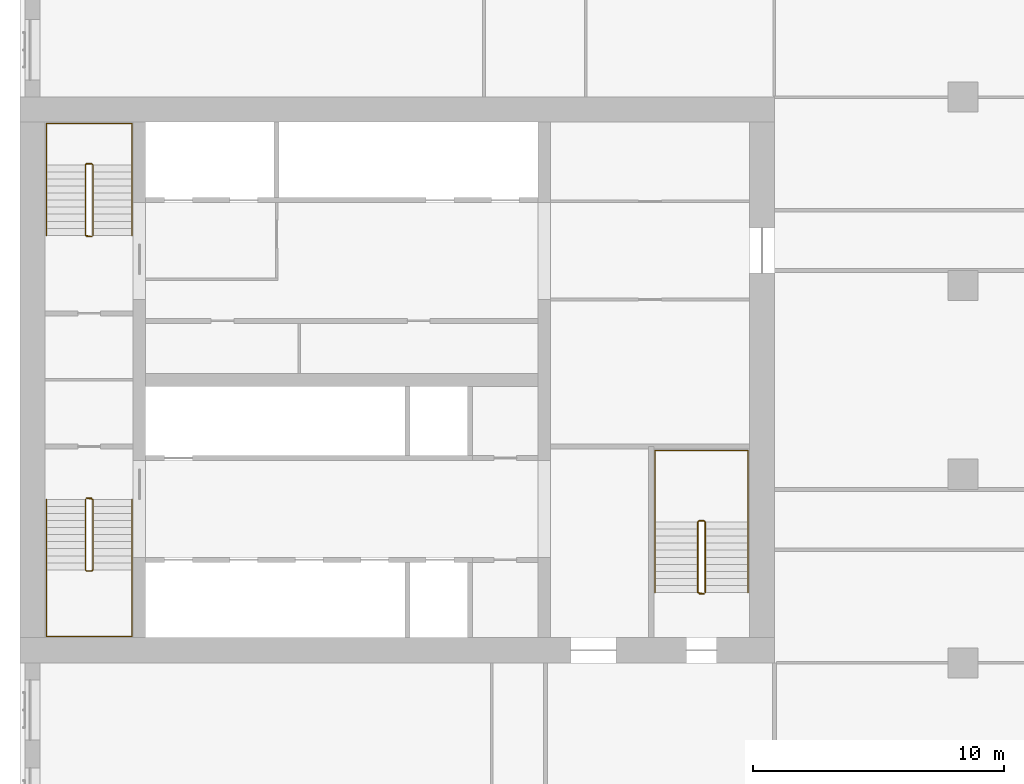
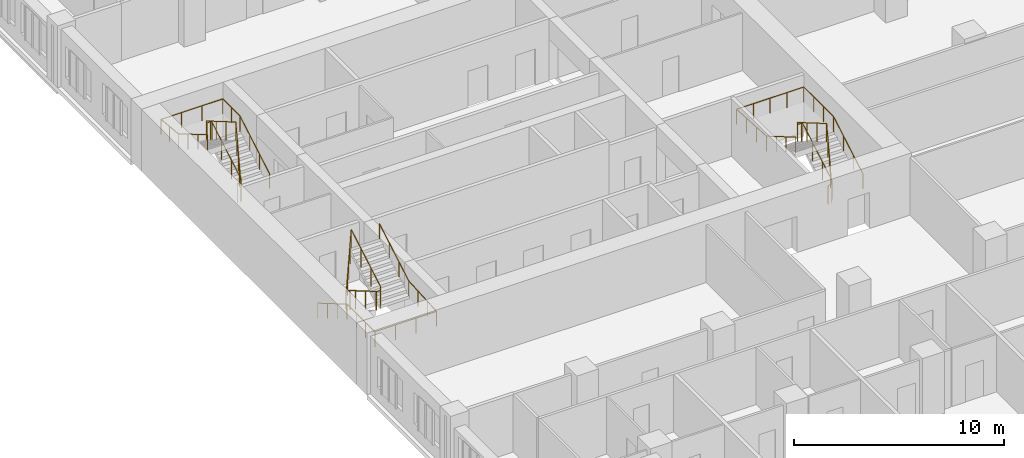
# One storey, part 14 of 14: 6 railings.
"""IFC4 building model written with IfcOpenShell, lengths in metres."""

from ifc_helpers import new_model, si_unit, direction, frame, origin, origin_2d, place, context, subcontext, project, spatial, circle, extrude, material, type_object, element, save


model = new_model("IFC4")

# Units and contexts
model_context = context("Model", 3, precision=1e-05, world=origin(), true_north=direction((0.0, 1.0)))
body_context = subcontext(model_context, "Body", "Model", "MODEL_VIEW")
ifc_project = project(units=[si_unit("LENGTHUNIT", "METRE"), si_unit("AREAUNIT", "SQUARE_METRE"), si_unit("VOLUMEUNIT", "CUBIC_METRE"), si_unit("PLANEANGLEUNIT", "RADIAN"), si_unit("MASSUNIT", "GRAM", prefix="KILO")], contexts=[model_context])

# Site, building, storey
site_placement = place(None, origin())
site = spatial("IfcSite", under=ifc_project, at=site_placement, CompositionType="ELEMENT")
building_placement = place(site_placement, origin())
building = spatial("IfcBuilding", under=site, at=building_placement, Name="Tamorin Gate", CompositionType="ELEMENT")
storey_placement = place(building_placement, frame((0.0, 0.0, 66.39990234375)))
storey = spatial("IfcBuildingStorey", under=building, at=storey_placement, Name="L15", CompositionType="ELEMENT", Elevation=66.39990234375)

# Railings
ifc_material_1 = material(Name="Painted steel balustrade", Category="steel")
railing_type_1 = type_object("IfcRailingType", Name="Stair guard 1100", PredefinedType="GUARDRAIL", material=ifc_material_1)
railing_1_placement = place(storey_placement, frame((32.60009765625, 66.5, 0.163818359375)))
element("IfcRailing", 1, at=railing_1_placement, inside=storey, type_object=railing_type_1, Name="L15 ST1 stair guard 1", PredefinedType="GUARDRAIL", context=body_context, shape_type="SweptSolid", body=[
    extrude(circle(Radius=0.02392578125, at=origin_2d()), frame((0.0, 0.0, 1.076171875), z_axis=(0.0, -0.863393664356, 0.504530851732), x_axis=(1.0, 0.0, 0.0)), (0.0, 0.0, 1.0), 3.2431640625),
    extrude(circle(Radius=0.02392578125, at=origin_2d()), frame((0.0, -2.800048828125, 2.71240234375), z_axis=(0.705375805398, -0.708833529934, 0.0), x_axis=(0.708833529934, 0.705375805398, 0.0)), (0.0, 0.0, 1.0), 0.070556640625),
    extrude(circle(Radius=0.02392578125, at=origin_2d()), frame((0.0498046875, -2.85009765625, 2.71240234375), z_axis=(1.0, 0.0, 0.0), x_axis=(0.0, 1.0, 0.0)), (0.0, 0.0, 1.0), 0.2001953125),
    extrude(circle(Radius=0.02392578125, at=origin_2d()), frame((0.25, -2.85009765625, 2.71240234375), z_axis=(0.279546231943, 0.280916556609, 0.91811752648), x_axis=(-0.708833529934, 0.705375805398, 0.0)), (0.0, 0.0, 1.0), 0.17822265625),
    extrude(circle(Radius=0.02392578125, at=origin_2d()), frame((0.2998046875, -2.800048828125, 2.8759765625), z_axis=(0.0, 0.863360870873, 0.504586966384), x_axis=(-1.0, 0.0, 0.0)), (0.0, 0.0, 1.0), 3.2431640625),
    extrude(circle(Radius=0.02392578125, at=origin_2d()), frame((0.2998046875, 0.0, 4.51220703125), z_axis=(-0.069269067181, 0.013867342551, -0.997501625634), x_axis=(-0.196300278283, -0.98054382908, 0.0)), (0.0, 0.0, 1.0), 3.609130859375),
    extrude(circle(Radius=0.02392578125, at=origin_2d()), frame((0.0498046875, 0.050048828125, 0.912109375), z_axis=(1.0, 0.0, 0.0), x_axis=(0.0, 1.0, 0.0)), (0.0, 0.0, 1.0), 0.2001953125),
    extrude(circle(Radius=0.02099609375, at=origin_2d()), origin(), (0.0, 0.0, 1.0), 1.052001953125),
    extrude(circle(Radius=0.02099609375, at=origin_2d()), frame((0.0, -0.933349609375, 0.54541015625)), (0.0, 0.0, 1.0), 1.052001953125),
    extrude(circle(Radius=0.02099609375, at=origin_2d()), frame((0.0, -1.86669921875, 1.0908203125)), (0.0, 0.0, 1.0), 1.052001953125),
    extrude(circle(Radius=0.02099609375, at=origin_2d()), frame((0.0, -2.800048828125, 1.63623046875)), (0.0, 0.0, 1.0), 1.052001953125),
    extrude(circle(Radius=0.02099609375, at=origin_2d()), frame((0.0498046875, -2.85009765625, 1.63623046875)), (0.0, 0.0, 1.0), 1.052001953125),
    extrude(circle(Radius=0.02099609375, at=origin_2d()), frame((0.25, -2.85009765625, 1.63623046875)), (0.0, 0.0, 1.0), 1.052001953125),
    extrude(circle(Radius=0.02099609375, at=origin_2d()), frame((0.2998046875, -2.800048828125, 1.7998046875)), (0.0, 0.0, 1.0), 1.052001953125),
    extrude(circle(Radius=0.02099609375, at=origin_2d()), frame((0.2998046875, -1.86669921875, 2.34521484375)), (0.0, 0.0, 1.0), 1.052001953125),
    extrude(circle(Radius=0.02099609375, at=origin_2d()), frame((0.2998046875, -0.933349609375, 2.890869140625)), (0.0, 0.0, 1.0), 1.052001953125),
    extrude(circle(Radius=0.02099609375, at=origin_2d()), frame((0.2998046875, 0.0, 3.436279296875)), (0.0, 0.0, 1.0), 1.052001953125),
    extrude(circle(Radius=0.02099609375, at=origin_2d()), frame((0.2373046875, 0.012451171875, 2.5361328125)), (0.0, 0.0, 1.0), 1.052001953125),
    extrude(circle(Radius=0.02099609375, at=origin_2d()), frame((0.1748046875, 0.02490234375, 1.63623046875)), (0.0, 0.0, 1.0), 1.052001953125),
    extrude(circle(Radius=0.02099609375, at=origin_2d()), frame((0.1123046875, 0.03759765625, 0.736328125)), (0.0, 0.0, 1.0), 1.052001953125),
    extrude(circle(Radius=0.02099609375, at=origin_2d()), frame((0.0498046875, 0.050048828125, -0.163818359375)), (0.0, 0.0, 1.0), 1.052001953125),
    extrude(circle(Radius=0.02099609375, at=origin_2d()), frame((0.25, 0.050048828125, -0.163818359375)), (0.0, 0.0, 1.0), 1.052001953125),
])
railing_2_placement = place(storey_placement, frame((32.89990234375, 77.0, 0.163818359375)))
element("IfcRailing", 2, at=railing_2_placement, inside=storey, type_object=railing_type_1, Name="L15 ST2 stair guard 1", PredefinedType="GUARDRAIL", context=body_context, shape_type="SweptSolid", body=[
    extrude(circle(Radius=0.02392578125, at=origin_2d()), frame((0.0, 0.0, 1.076171875), z_axis=(0.0, 0.863393664356, 0.504530851732), x_axis=(-1.0, 0.0, 0.0)), (0.0, 0.0, 1.0), 3.2431640625),
    extrude(circle(Radius=0.02392578125, at=origin_2d()), frame((0.0, 2.800048828125, 2.71240234375), z_axis=(-0.705375805398, 0.708833529934, 0.0), x_axis=(-0.708833529934, -0.705375805398, 0.0)), (0.0, 0.0, 1.0), 0.070556640625),
    extrude(circle(Radius=0.02392578125, at=origin_2d()), frame((-0.0498046875, 2.85009765625, 2.71240234375), z_axis=(-1.0, 0.0, 0.0), x_axis=(0.0, -1.0, 0.0)), (0.0, 0.0, 1.0), 0.2001953125),
    extrude(circle(Radius=0.02392578125, at=origin_2d()), frame((-0.25, 2.85009765625, 2.71240234375), z_axis=(-0.279546231943, -0.280916556609, 0.91811752648), x_axis=(0.708833529934, -0.705375805398, 0.0)), (0.0, 0.0, 1.0), 0.17822265625),
    extrude(circle(Radius=0.02392578125, at=origin_2d()), frame((-0.2998046875, 2.800048828125, 2.8759765625), z_axis=(0.0, -0.863360870873, 0.504586966384), x_axis=(1.0, 0.0, 0.0)), (0.0, 0.0, 1.0), 3.2431640625),
    extrude(circle(Radius=0.02392578125, at=origin_2d()), frame((-0.2998046875, 0.0, 4.51220703125), z_axis=(0.069269067181, -0.013867342551, -0.997501625634), x_axis=(0.196300278283, 0.98054382908, 0.0)), (0.0, 0.0, 1.0), 3.609130859375),
    extrude(circle(Radius=0.02392578125, at=origin_2d()), frame((-0.0498046875, -0.050048828125, 0.912109375), z_axis=(-1.0, 0.0, 0.0), x_axis=(0.0, -1.0, 0.0)), (0.0, 0.0, 1.0), 0.2001953125),
    extrude(circle(Radius=0.02099609375, at=origin_2d()), origin(), (0.0, 0.0, 1.0), 1.052001953125),
    extrude(circle(Radius=0.02099609375, at=origin_2d()), frame((0.0, 0.933349609375, 0.54541015625)), (0.0, 0.0, 1.0), 1.052001953125),
    extrude(circle(Radius=0.02099609375, at=origin_2d()), frame((0.0, 1.86669921875, 1.0908203125)), (0.0, 0.0, 1.0), 1.052001953125),
    extrude(circle(Radius=0.02099609375, at=origin_2d()), frame((0.0, 2.800048828125, 1.63623046875)), (0.0, 0.0, 1.0), 1.052001953125),
    extrude(circle(Radius=0.02099609375, at=origin_2d()), frame((-0.0498046875, 2.85009765625, 1.63623046875)), (0.0, 0.0, 1.0), 1.052001953125),
    extrude(circle(Radius=0.02099609375, at=origin_2d()), frame((-0.25, 2.85009765625, 1.63623046875)), (0.0, 0.0, 1.0), 1.052001953125),
    extrude(circle(Radius=0.02099609375, at=origin_2d()), frame((-0.2998046875, 2.800048828125, 1.7998046875)), (0.0, 0.0, 1.0), 1.052001953125),
    extrude(circle(Radius=0.02099609375, at=origin_2d()), frame((-0.2998046875, 1.86669921875, 2.34521484375)), (0.0, 0.0, 1.0), 1.052001953125),
    extrude(circle(Radius=0.02099609375, at=origin_2d()), frame((-0.2998046875, 0.933349609375, 2.890869140625)), (0.0, 0.0, 1.0), 1.052001953125),
    extrude(circle(Radius=0.02099609375, at=origin_2d()), frame((-0.2998046875, 0.0, 3.436279296875)), (0.0, 0.0, 1.0), 1.052001953125),
    extrude(circle(Radius=0.02099609375, at=origin_2d()), frame((-0.2373046875, -0.012451171875, 2.5361328125)), (0.0, 0.0, 1.0), 1.052001953125),
    extrude(circle(Radius=0.02099609375, at=origin_2d()), frame((-0.1748046875, -0.02490234375, 1.63623046875)), (0.0, 0.0, 1.0), 1.052001953125),
    extrude(circle(Radius=0.02099609375, at=origin_2d()), frame((-0.1123046875, -0.03759765625, 0.736328125)), (0.0, 0.0, 1.0), 1.052001953125),
    extrude(circle(Radius=0.02099609375, at=origin_2d()), frame((-0.0498046875, -0.050048828125, -0.163818359375)), (0.0, 0.0, 1.0), 1.052001953125),
    extrude(circle(Radius=0.02099609375, at=origin_2d()), frame((-0.25, -0.050048828125, -0.163818359375)), (0.0, 0.0, 1.0), 1.052001953125),
])
railing_3_placement = place(storey_placement, frame((57.25, 62.800048828125, 0.163818359375)))
element("IfcRailing", 3, at=railing_3_placement, inside=storey, type_object=railing_type_1, Name="L15 ST3 stair guard 1", PredefinedType="GUARDRAIL", context=body_context, shape_type="SweptSolid", body=[
    extrude(circle(Radius=0.02392578125, at=origin_2d()), frame((0.0, 0.0, 1.076171875), z_axis=(0.0, 0.863393664356, 0.504530851732), x_axis=(-1.0, 0.0, 0.0)), (0.0, 0.0, 1.0), 3.2431640625),
    extrude(circle(Radius=0.02392578125, at=origin_2d()), frame((0.0, 2.800048828125, 2.71240234375), z_axis=(-0.708833529934, 0.705375805398, 0.0), x_axis=(-0.705375805398, -0.708833529934, 0.0)), (0.0, 0.0, 1.0), 0.070556640625),
    extrude(circle(Radius=0.02392578125, at=origin_2d()), frame((-0.050048828125, 2.849853515625, 2.71240234375), z_axis=(-1.0, 0.0, 0.0), x_axis=(0.0, -1.0, 0.0)), (0.0, 0.0, 1.0), 0.199951171875),
    extrude(circle(Radius=0.02392578125, at=origin_2d()), frame((-0.25, 2.849853515625, 2.71240234375), z_axis=(-0.280916556609, -0.279546231943, 0.91811752648), x_axis=(0.705375805398, -0.708833529934, 0.0)), (0.0, 0.0, 1.0), 0.17822265625),
    extrude(circle(Radius=0.02392578125, at=origin_2d()), frame((-0.300048828125, 2.800048828125, 2.8759765625), z_axis=(0.0, -0.863360870873, 0.504586966384), x_axis=(1.0, 0.0, 0.0)), (0.0, 0.0, 1.0), 3.2431640625),
    extrude(circle(Radius=0.02392578125, at=origin_2d()), frame((-0.300048828125, 0.0, 4.51220703125), z_axis=(0.069269067181, -0.013867342551, -0.997501625634), x_axis=(0.196300278283, 0.98054382908, 0.0)), (0.0, 0.0, 1.0), 3.609130859375),
    extrude(circle(Radius=0.02392578125, at=origin_2d()), frame((-0.050048828125, -0.050048828125, 0.912109375), z_axis=(-1.0, 0.0, 0.0), x_axis=(0.0, -1.0, 0.0)), (0.0, 0.0, 1.0), 0.199951171875),
    extrude(circle(Radius=0.02099609375, at=origin_2d()), origin(), (0.0, 0.0, 1.0), 1.052001953125),
    extrude(circle(Radius=0.02099609375, at=origin_2d()), frame((0.0, 0.933349609375, 0.54541015625)), (0.0, 0.0, 1.0), 1.052001953125),
    extrude(circle(Radius=0.02099609375, at=origin_2d()), frame((0.0, 1.86669921875, 1.0908203125)), (0.0, 0.0, 1.0), 1.052001953125),
    extrude(circle(Radius=0.02099609375, at=origin_2d()), frame((0.0, 2.800048828125, 1.63623046875)), (0.0, 0.0, 1.0), 1.052001953125),
    extrude(circle(Radius=0.02099609375, at=origin_2d()), frame((-0.050048828125, 2.849853515625, 1.63623046875)), (0.0, 0.0, 1.0), 1.052001953125),
    extrude(circle(Radius=0.02099609375, at=origin_2d()), frame((-0.25, 2.849853515625, 1.63623046875)), (0.0, 0.0, 1.0), 1.052001953125),
    extrude(circle(Radius=0.02099609375, at=origin_2d()), frame((-0.300048828125, 2.800048828125, 1.7998046875)), (0.0, 0.0, 1.0), 1.052001953125),
    extrude(circle(Radius=0.02099609375, at=origin_2d()), frame((-0.300048828125, 1.86669921875, 2.34521484375)), (0.0, 0.0, 1.0), 1.052001953125),
    extrude(circle(Radius=0.02099609375, at=origin_2d()), frame((-0.300048828125, 0.933349609375, 2.890869140625)), (0.0, 0.0, 1.0), 1.052001953125),
    extrude(circle(Radius=0.02099609375, at=origin_2d()), frame((-0.300048828125, 0.0, 3.436279296875)), (0.0, 0.0, 1.0), 1.052001953125),
    extrude(circle(Radius=0.02099609375, at=origin_2d()), frame((-0.237548828125, -0.012451171875, 2.5361328125)), (0.0, 0.0, 1.0), 1.052001953125),
    extrude(circle(Radius=0.02099609375, at=origin_2d()), frame((-0.175048828125, -0.02490234375, 1.63623046875)), (0.0, 0.0, 1.0), 1.052001953125),
    extrude(circle(Radius=0.02099609375, at=origin_2d()), frame((-0.112548828125, -0.03759765625, 0.736328125)), (0.0, 0.0, 1.0), 1.052001953125),
    extrude(circle(Radius=0.02099609375, at=origin_2d()), frame((-0.050048828125, -0.050048828125, -0.163818359375)), (0.0, 0.0, 1.0), 1.052001953125),
    extrude(circle(Radius=0.02099609375, at=origin_2d()), frame((-0.25, -0.050048828125, -0.163818359375)), (0.0, 0.0, 1.0), 1.052001953125),
])
ifc_material_2 = material(Name="Painted steel handrail", Category="steel")
railing_type_2 = type_object("IfcRailingType", Name="Stair handrail 900", PredefinedType="HANDRAIL", material=ifc_material_2)
railing_4_placement = place(storey_placement, frame((31.050048828125, 66.5, 0.163818359375)))
element("IfcRailing", 4, at=railing_4_placement, inside=storey, type_object=railing_type_2, Name="L15 ST1 stair handrail 1", PredefinedType="HANDRAIL", context=body_context, shape_type="SweptSolid", body=[
    extrude(circle(Radius=0.02392578125, at=origin_2d()), frame((0.0, 0.0, 0.8759765625), z_axis=(0.0, -0.863393664356, 0.504530851732), x_axis=(1.0, 0.0, 0.0)), (0.0, 0.0, 1.0), 3.2431640625),
    extrude(circle(Radius=0.02392578125, at=origin_2d()), frame((0.0, -2.800048828125, 2.51220703125), z_axis=(0.0, -1.0, 0.0), x_axis=(1.0, 0.0, 0.0)), (0.0, 0.0, 1.0), 2.64990234375),
    extrude(circle(Radius=0.02392578125, at=origin_2d()), frame((0.0, -5.449951171875, 2.51220703125), z_axis=(1.0, 0.0, 0.0), x_axis=(0.0, 1.0, 0.0)), (0.0, 0.0, 1.0), 3.39990234375),
    extrude(circle(Radius=0.02392578125, at=origin_2d()), frame((3.39990234375, -5.449951171875, 2.51220703125), z_axis=(0.0, 0.998100230056, 0.061611125312), x_axis=(-1.0, 0.0, 0.0)), (0.0, 0.0, 1.0), 2.655029296875),
    extrude(circle(Radius=0.02392578125, at=origin_2d()), frame((3.39990234375, -2.800048828125, 2.67578125), z_axis=(0.0, 0.863360870873, 0.504586966384), x_axis=(-1.0, 0.0, 0.0)), (0.0, 0.0, 1.0), 3.2431640625),
    extrude(circle(Radius=0.02099609375, at=origin_2d()), origin(), (0.0, 0.0, 1.0), 0.851806640625),
    extrude(circle(Radius=0.02099609375, at=origin_2d()), frame((0.0, -0.933349609375, 0.54541015625)), (0.0, 0.0, 1.0), 0.851806640625),
    extrude(circle(Radius=0.02099609375, at=origin_2d()), frame((0.0, -1.86669921875, 1.0908203125)), (0.0, 0.0, 1.0), 0.851806640625),
    extrude(circle(Radius=0.02099609375, at=origin_2d()), frame((0.0, -2.800048828125, 1.63623046875)), (0.0, 0.0, 1.0), 0.851806640625),
    extrude(circle(Radius=0.02099609375, at=origin_2d()), frame((0.0, -3.683349609375, 1.63623046875)), (0.0, 0.0, 1.0), 0.851806640625),
    extrude(circle(Radius=0.02099609375, at=origin_2d()), frame((0.0, -4.566650390625, 1.63623046875)), (0.0, 0.0, 1.0), 0.851806640625),
    extrude(circle(Radius=0.02099609375, at=origin_2d()), frame((0.0, -5.449951171875, 1.63623046875)), (0.0, 0.0, 1.0), 0.851806640625),
    extrude(circle(Radius=0.02099609375, at=origin_2d()), frame((1.13330078125, -5.449951171875, 1.63623046875)), (0.0, 0.0, 1.0), 0.851806640625),
    extrude(circle(Radius=0.02099609375, at=origin_2d()), frame((2.2666015625, -5.449951171875, 1.63623046875)), (0.0, 0.0, 1.0), 0.851806640625),
    extrude(circle(Radius=0.02099609375, at=origin_2d()), frame((3.39990234375, -5.449951171875, 1.63623046875)), (0.0, 0.0, 1.0), 0.851806640625),
    extrude(circle(Radius=0.02099609375, at=origin_2d()), frame((3.39990234375, -4.566650390625, 1.690673828125)), (0.0, 0.0, 1.0), 0.851806640625),
    extrude(circle(Radius=0.02099609375, at=origin_2d()), frame((3.39990234375, -3.683349609375, 1.745361328125)), (0.0, 0.0, 1.0), 0.851806640625),
    extrude(circle(Radius=0.02099609375, at=origin_2d()), frame((3.39990234375, -2.800048828125, 1.7998046875)), (0.0, 0.0, 1.0), 0.851806640625),
    extrude(circle(Radius=0.02099609375, at=origin_2d()), frame((3.39990234375, -1.86669921875, 2.34521484375)), (0.0, 0.0, 1.0), 0.851806640625),
    extrude(circle(Radius=0.02099609375, at=origin_2d()), frame((3.39990234375, -0.933349609375, 2.890869140625)), (0.0, 0.0, 1.0), 0.851806640625),
    extrude(circle(Radius=0.02099609375, at=origin_2d()), frame((3.39990234375, 0.0, 3.436279296875)), (0.0, 0.0, 1.0), 0.851806640625),
])
railing_5_placement = place(storey_placement, frame((34.449951171875, 77.0, 0.163818359375)))
element("IfcRailing", 5, at=railing_5_placement, inside=storey, type_object=railing_type_2, Name="L15 ST2 stair handrail 1", PredefinedType="HANDRAIL", context=body_context, shape_type="SweptSolid", body=[
    extrude(circle(Radius=0.02392578125, at=origin_2d()), frame((0.0, 0.0, 0.8759765625), z_axis=(0.0, 0.863393664356, 0.504530851732), x_axis=(-1.0, 0.0, 0.0)), (0.0, 0.0, 1.0), 3.2431640625),
    extrude(circle(Radius=0.02392578125, at=origin_2d()), frame((0.0, 2.800048828125, 2.51220703125), z_axis=(0.0, 1.0, 0.0), x_axis=(-1.0, 0.0, 0.0)), (0.0, 0.0, 1.0), 1.64990234375),
    extrude(circle(Radius=0.02392578125, at=origin_2d()), frame((0.0, 4.449951171875, 2.51220703125), z_axis=(-1.0, 0.0, 0.0), x_axis=(0.0, -1.0, 0.0)), (0.0, 0.0, 1.0), 3.39990234375),
    extrude(circle(Radius=0.02392578125, at=origin_2d()), frame((-3.39990234375, 4.449951171875, 2.51220703125), z_axis=(0.0, -0.995121390814, 0.098658084026), x_axis=(1.0, 0.0, 0.0)), (0.0, 0.0, 1.0), 1.657958984375),
    extrude(circle(Radius=0.02392578125, at=origin_2d()), frame((-3.39990234375, 2.800048828125, 2.67578125), z_axis=(0.0, -0.863360870873, 0.504586966384), x_axis=(1.0, 0.0, 0.0)), (0.0, 0.0, 1.0), 3.2431640625),
    extrude(circle(Radius=0.02099609375, at=origin_2d()), origin(), (0.0, 0.0, 1.0), 0.851806640625),
    extrude(circle(Radius=0.02099609375, at=origin_2d()), frame((0.0, 0.933349609375, 0.54541015625)), (0.0, 0.0, 1.0), 0.851806640625),
    extrude(circle(Radius=0.02099609375, at=origin_2d()), frame((0.0, 1.86669921875, 1.0908203125)), (0.0, 0.0, 1.0), 0.851806640625),
    extrude(circle(Radius=0.02099609375, at=origin_2d()), frame((0.0, 2.800048828125, 1.63623046875)), (0.0, 0.0, 1.0), 0.851806640625),
    extrude(circle(Radius=0.02099609375, at=origin_2d()), frame((0.0, 3.625, 1.63623046875)), (0.0, 0.0, 1.0), 0.851806640625),
    extrude(circle(Radius=0.02099609375, at=origin_2d()), frame((0.0, 4.449951171875, 1.63623046875)), (0.0, 0.0, 1.0), 0.851806640625),
    extrude(circle(Radius=0.02099609375, at=origin_2d()), frame((-1.13330078125, 4.449951171875, 1.63623046875)), (0.0, 0.0, 1.0), 0.851806640625),
    extrude(circle(Radius=0.02099609375, at=origin_2d()), frame((-2.2666015625, 4.449951171875, 1.63623046875)), (0.0, 0.0, 1.0), 0.851806640625),
    extrude(circle(Radius=0.02099609375, at=origin_2d()), frame((-3.39990234375, 4.449951171875, 1.63623046875)), (0.0, 0.0, 1.0), 0.851806640625),
    extrude(circle(Radius=0.02099609375, at=origin_2d()), frame((-3.39990234375, 3.625, 1.718017578125)), (0.0, 0.0, 1.0), 0.851806640625),
    extrude(circle(Radius=0.02099609375, at=origin_2d()), frame((-3.39990234375, 2.800048828125, 1.7998046875)), (0.0, 0.0, 1.0), 0.851806640625),
    extrude(circle(Radius=0.02099609375, at=origin_2d()), frame((-3.39990234375, 1.86669921875, 2.34521484375)), (0.0, 0.0, 1.0), 0.851806640625),
    extrude(circle(Radius=0.02099609375, at=origin_2d()), frame((-3.39990234375, 0.933349609375, 2.890869140625)), (0.0, 0.0, 1.0), 0.851806640625),
    extrude(circle(Radius=0.02099609375, at=origin_2d()), frame((-3.39990234375, 0.0, 3.436279296875)), (0.0, 0.0, 1.0), 0.851806640625),
])
railing_6_placement = place(storey_placement, frame((58.949951171875, 62.800048828125, 0.163818359375)))
element("IfcRailing", 6, at=railing_6_placement, inside=storey, type_object=railing_type_2, Name="L15 ST3 stair handrail 1", PredefinedType="HANDRAIL", context=body_context, shape_type="SweptSolid", body=[
    extrude(circle(Radius=0.02392578125, at=origin_2d()), frame((0.0, 0.0, 0.8759765625), z_axis=(0.0, 0.863393664356, 0.504530851732), x_axis=(-1.0, 0.0, 0.0)), (0.0, 0.0, 1.0), 3.2431640625),
    extrude(circle(Radius=0.02392578125, at=origin_2d()), frame((0.0, 2.800048828125, 2.51220703125), z_axis=(0.0, 1.0, 0.0), x_axis=(-1.0, 0.0, 0.0)), (0.0, 0.0, 1.0), 2.849853515625),
    extrude(circle(Radius=0.02392578125, at=origin_2d()), frame((0.0, 5.64990234375, 2.51220703125), z_axis=(-1.0, 0.0, 0.0), x_axis=(0.0, -1.0, 0.0)), (0.0, 0.0, 1.0), 3.699951171875),
    extrude(circle(Radius=0.02392578125, at=origin_2d()), frame((-3.699951171875, 5.64990234375, 2.51220703125), z_axis=(0.0, -0.998356827416, 0.057303098978), x_axis=(1.0, 0.0, 0.0)), (0.0, 0.0, 1.0), 2.8544921875),
    extrude(circle(Radius=0.02392578125, at=origin_2d()), frame((-3.699951171875, 2.800048828125, 2.67578125), z_axis=(0.0, -0.863360870873, 0.504586966384), x_axis=(1.0, 0.0, 0.0)), (0.0, 0.0, 1.0), 3.2431640625),
    extrude(circle(Radius=0.02099609375, at=origin_2d()), origin(), (0.0, 0.0, 1.0), 0.851806640625),
    extrude(circle(Radius=0.02099609375, at=origin_2d()), frame((0.0, 0.933349609375, 0.54541015625)), (0.0, 0.0, 1.0), 0.851806640625),
    extrude(circle(Radius=0.02099609375, at=origin_2d()), frame((0.0, 1.86669921875, 1.0908203125)), (0.0, 0.0, 1.0), 0.851806640625),
    extrude(circle(Radius=0.02099609375, at=origin_2d()), frame((0.0, 2.800048828125, 1.63623046875)), (0.0, 0.0, 1.0), 0.851806640625),
    extrude(circle(Radius=0.02099609375, at=origin_2d()), frame((0.0, 3.75, 1.63623046875)), (0.0, 0.0, 1.0), 0.851806640625),
    extrude(circle(Radius=0.02099609375, at=origin_2d()), frame((0.0, 4.699951171875, 1.63623046875)), (0.0, 0.0, 1.0), 0.851806640625),
    extrude(circle(Radius=0.02099609375, at=origin_2d()), frame((0.0, 5.64990234375, 1.63623046875)), (0.0, 0.0, 1.0), 0.851806640625),
    extrude(circle(Radius=0.02099609375, at=origin_2d()), frame((-0.925048828125, 5.64990234375, 1.63623046875)), (0.0, 0.0, 1.0), 0.851806640625),
    extrude(circle(Radius=0.02099609375, at=origin_2d()), frame((-1.85009765625, 5.64990234375, 1.63623046875)), (0.0, 0.0, 1.0), 0.851806640625),
    extrude(circle(Radius=0.02099609375, at=origin_2d()), frame((-2.77490234375, 5.64990234375, 1.63623046875)), (0.0, 0.0, 1.0), 0.851806640625),
    extrude(circle(Radius=0.02099609375, at=origin_2d()), frame((-3.699951171875, 5.64990234375, 1.63623046875)), (0.0, 0.0, 1.0), 0.851806640625),
    extrude(circle(Radius=0.02099609375, at=origin_2d()), frame((-3.699951171875, 4.699951171875, 1.690673828125)), (0.0, 0.0, 1.0), 0.851806640625),
    extrude(circle(Radius=0.02099609375, at=origin_2d()), frame((-3.699951171875, 3.75, 1.745361328125)), (0.0, 0.0, 1.0), 0.851806640625),
    extrude(circle(Radius=0.02099609375, at=origin_2d()), frame((-3.699951171875, 2.800048828125, 1.7998046875)), (0.0, 0.0, 1.0), 0.851806640625),
    extrude(circle(Radius=0.02099609375, at=origin_2d()), frame((-3.699951171875, 1.86669921875, 2.34521484375)), (0.0, 0.0, 1.0), 0.851806640625),
    extrude(circle(Radius=0.02099609375, at=origin_2d()), frame((-3.699951171875, 0.933349609375, 2.890869140625)), (0.0, 0.0, 1.0), 0.851806640625),
    extrude(circle(Radius=0.02099609375, at=origin_2d()), frame((-3.699951171875, 0.0, 3.436279296875)), (0.0, 0.0, 1.0), 0.851806640625),
])

save(model, "model.ifc")
